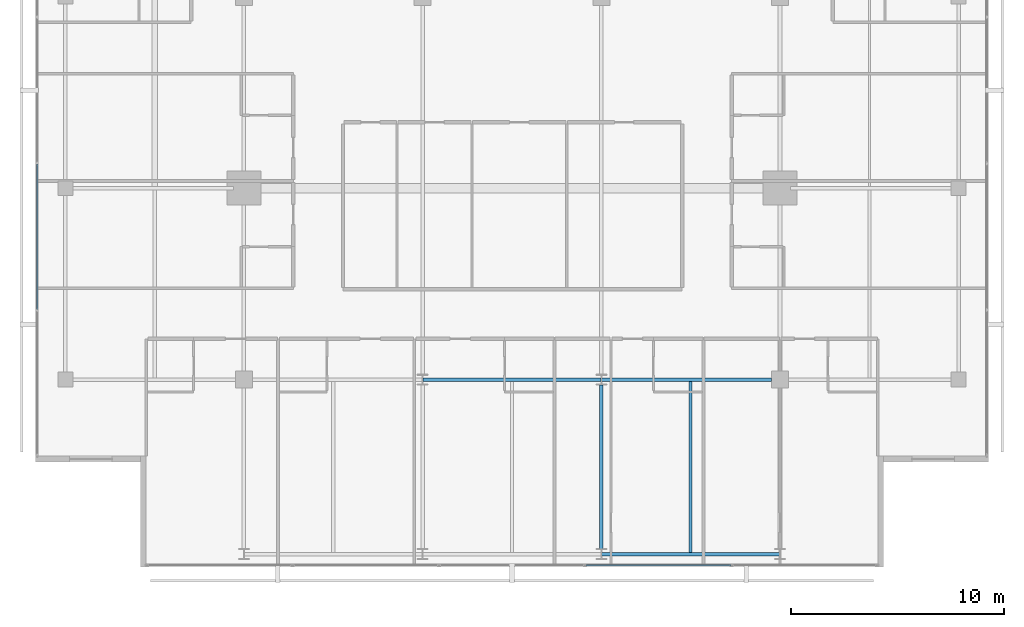
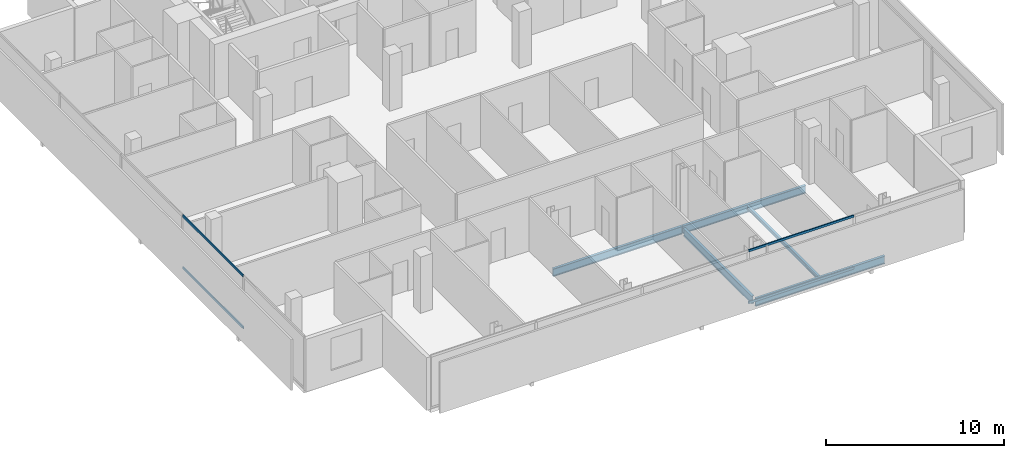
# One storey, part 7 of 26: 5 beams, 4 members, 2 elements without a shape of their own.
"""IFC4 building model written with IfcOpenShell, lengths in metres."""

from ifc_helpers import new_model, si_unit, direction, frame, origin, origin_2d, place, context, subcontext, project, spatial, hollow_rectangle, i_section, extrude, material, layer, layer_set, material_profile, profile_set, type_object, element, aggregate, save


model = new_model("IFC4")

# Units and contexts
model_context = context("Model", 3, precision=1e-05, world=origin(), true_north=direction((0.0, 1.0)))
body_context = subcontext(model_context, "Body", "Model", "MODEL_VIEW")
ifc_project = project(units=[si_unit("LENGTHUNIT", "METRE"), si_unit("AREAUNIT", "SQUARE_METRE"), si_unit("VOLUMEUNIT", "CUBIC_METRE"), si_unit("PLANEANGLEUNIT", "RADIAN"), si_unit("MASSUNIT", "GRAM", prefix="KILO")], contexts=[model_context])

# Site, building, storey
site_placement = place(None, origin())
site = spatial("IfcSite", under=ifc_project, at=site_placement, CompositionType="ELEMENT")
building_placement = place(site_placement, origin())
building = spatial("IfcBuilding", under=site, at=building_placement, Name="Maruvema Waterfront Hotel and Observation Tower", CompositionType="ELEMENT")
storey_placement = place(building_placement, frame((0.0, 0.0, 289.449951171875)))
storey = spatial("IfcBuildingStorey", under=building, at=storey_placement, Name="L71", CompositionType="ELEMENT", Elevation=289.449951171875)

# Curtain wall, members
ifc_material_1 = material(Name="Anodised bronze aluminium and solar-control low-E IGU", Category="aluminium")
ifc_layer = layer(ifc_material_1, 0.159912109375, Name="Zone 3 Champagne Inner Thermal Curtain Wall System CW-04")
ifc_layer_set = layer_set([ifc_layer], Name="Anodised bronze aluminium and solar-control low-E IGU")
curtain_wall_type = type_object("IfcCurtainWallType", Name="Zone 3 Champagne Inner Thermal Curtain Wall System CW-04", PredefinedType="USERDEFINED", material=ifc_layer_set)
curtain_wall_1_placement = place(storey_placement, origin())
curtain_wall_1 = element("IfcCurtainWall", 1, at=curtain_wall_1_placement, inside=storey, type_object=curtain_wall_type, Name="L71 Curtain Wall CW-L71-S", ObjectType="UNITISED CURTAIN WALL", PredefinedType="USERDEFINED")
ifc_material_2 = material(Name="Anodised architectural bronze aluminium", Category="aluminium")
ifc_material_profile_1 = material_profile(ifc_material_2, hollow_rectangle(XDim=0.070068359375, YDim=0.14990234375, WallThickness=0.00390625, at=origin_2d()), Name="ALU-T70x150")
ifc_profile_set_1 = profile_set([ifc_material_profile_1], Name="Anodised architectural bronze aluminium")
member_type = type_object("IfcMemberType", Name="Curtain Wall Horizontal Transom ALU-T70x150", PredefinedType="USERDEFINED", material=ifc_profile_set_1)
member_1_placement = place(storey_placement, frame((41.27001953125, 9.280029296875, 0.030029296875), z_axis=(1.0, 0.0, 0.0), x_axis=(0.0, 1.0, 0.0)))
member_1 = element("IfcMember", 2, at=member_1_placement, type_object=member_type, Name="CW-04 transom 4.1", ObjectType="TRANSOM", PredefinedType="USERDEFINED", context=body_context, shape_type="SweptSolid", body=[
    extrude(hollow_rectangle(XDim=0.070068359375, YDim=0.14990234375, WallThickness=0.00390625, at=origin_2d()), origin(), (0.0, 0.0, 1.0), 6.820068359375),
])
member_2_placement = place(storey_placement, frame((41.27001953125, 9.280029296875, 3.580078125), z_axis=(1.0, 0.0, 0.0), x_axis=(0.0, 1.0, 0.0)))
member_2 = element("IfcMember", 3, at=member_2_placement, type_object=member_type, Name="CW-04 transom 4.2", ObjectType="TRANSOM", PredefinedType="USERDEFINED", context=body_context, shape_type="SweptSolid", body=[
    extrude(hollow_rectangle(XDim=0.070068359375, YDim=0.14990234375, WallThickness=0.00390625, at=origin_2d()), origin(), (0.0, 0.0, 1.0), 6.820068359375),
])
aggregate(curtain_wall_1, [member_1, member_2])

curtain_wall_2_placement = place(storey_placement, origin())
curtain_wall_2 = element("IfcCurtainWall", 4, at=curtain_wall_2_placement, inside=storey, type_object=curtain_wall_type, Name="L71 Curtain Wall CW-L71-W", ObjectType="UNITISED CURTAIN WALL", PredefinedType="USERDEFINED")
member_3_placement = place(storey_placement, frame((15.47998046875, 28.1298828125, 0.030029296875), z_axis=(0.0, -1.0, 0.0), x_axis=(1.0, 0.0, 0.0)))
member_3 = element("IfcMember", 5, at=member_3_placement, type_object=member_type, Name="CW-04 transom 4.1", ObjectType="TRANSOM", PredefinedType="USERDEFINED", context=body_context, shape_type="SweptSolid", body=[
    extrude(hollow_rectangle(XDim=0.070068359375, YDim=0.14990234375, WallThickness=0.00390625, at=origin_2d()), origin(), (0.0, 0.0, 1.0), 6.81982421875),
])
member_4_placement = place(storey_placement, frame((15.47998046875, 28.1298828125, 3.580078125), z_axis=(0.0, -1.0, 0.0), x_axis=(1.0, 0.0, 0.0)))
member_4 = element("IfcMember", 6, at=member_4_placement, type_object=member_type, Name="CW-04 transom 4.2", ObjectType="TRANSOM", PredefinedType="USERDEFINED", context=body_context, shape_type="SweptSolid", body=[
    extrude(hollow_rectangle(XDim=0.070068359375, YDim=0.14990234375, WallThickness=0.00390625, at=origin_2d()), origin(), (0.0, 0.0, 1.0), 6.81982421875),
])
aggregate(curtain_wall_2, [member_3, member_4])

# Beams
ifc_material_3 = material(Name="Steel ASTM A572 Grade 50", Category="steel")
ifc_material_profile_2 = material_profile(ifc_material_3, i_section(OverallWidth=0.166015625, OverallDepth=0.529052734375, WebThickness=0.009765625, FlangeThickness=0.013671875, FilletRadius=0.014892578125, at=origin_2d()), Name="W530x74.0")
ifc_profile_set_2 = profile_set([ifc_material_profile_2], Name="Steel ASTM A572 Grade 50")
beam_type_1 = type_object("IfcBeamType", Name="Primary Floor Girder W530x74.0", PredefinedType="BEAM", material=ifc_profile_set_2)
for number, where, z_axis, x_axis, name in (
    (7, (42.010986328125, 9.800048828125, -0.50439453125), (1.0, 0.0, 0.0), (0.0, 1.0, 0.0), "L71 Floor Girder EW-03"),
    (8, (33.611083984375, 18.0, -0.50439453125), (1.0, 0.0, 0.0), (0.0, 1.0, 0.0), "L71 Floor Girder EW-06"),
):
    element("IfcBeam", number, at=place(storey_placement, frame(where, z_axis=z_axis, x_axis=x_axis)), inside=storey, type_object=beam_type_1, Name=name, PredefinedType="BEAM", context=body_context, shape_type="SweptSolid", body=[
        extrude(i_section(OverallWidth=0.166015625, OverallDepth=0.529052734375, WebThickness=0.009765625, FlangeThickness=0.013671875, FilletRadius=0.014892578125, at=origin_2d()), origin(), (0.0, 0.0, 1.0), 8.3779296875),
    ])
beam_1_placement = place(storey_placement, frame((42.010986328125, 18.0, -0.50439453125), z_axis=(1.0, 0.0, 0.0), x_axis=(0.0, 1.0, 0.0)))
element("IfcBeam", 9, at=beam_1_placement, inside=storey, type_object=beam_type_1, Name="L71 Floor Girder EW-07", PredefinedType="BEAM", context=body_context, shape_type="SweptSolid", body=[
    extrude(i_section(OverallWidth=0.166015625, OverallDepth=0.529052734375, WebThickness=0.009765625, FlangeThickness=0.013671875, FilletRadius=0.014892578125, at=origin_2d()), origin(), (0.0, 0.0, 1.0), 7.989013671875),
])
beam_2_placement = place(storey_placement, frame((42.0, 10.050048828125, -0.50439453125), z_axis=(0.0, 1.0, 0.0), x_axis=(-1.0, 0.0, 0.0)))
element("IfcBeam", 10, at=beam_2_placement, inside=storey, type_object=beam_type_1, Name="L71 Floor Girder NS-10", PredefinedType="BEAM", context=body_context, shape_type="SweptSolid", body=[
    extrude(i_section(OverallWidth=0.166015625, OverallDepth=0.529052734375, WebThickness=0.009765625, FlangeThickness=0.013671875, FilletRadius=0.014892578125, at=origin_2d()), origin(), (0.0, 0.0, 1.0), 7.699951171875),
])
ifc_material_4 = material(Name="Steel ASTM A572 Grade 50", Category="steel")
ifc_material_profile_3 = material_profile(ifc_material_4, i_section(OverallWidth=0.14599609375, OverallDepth=0.258056640625, WebThickness=0.006103515625, FlangeThickness=0.009033203125, FilletRadius=0.012939453125, at=origin_2d()), Name="W250x32.7")
ifc_profile_set_3 = profile_set([ifc_material_profile_3], Name="Steel ASTM A572 Grade 50")
beam_type_2 = type_object("IfcBeamType", Name="Secondary Floor Joist W250x32.7", PredefinedType="JOIST", material=ifc_profile_set_3)
beam_3_placement = place(storey_placement, frame((46.199951171875, 9.883056640625, -0.368896484375), z_axis=(0.0, 1.0, 0.0), x_axis=(-1.0, 0.0, 0.0)))
element("IfcBeam", 11, at=beam_3_placement, inside=storey, type_object=beam_type_2, Name="L71 Secondary Floor Joist JS-06", PredefinedType="JOIST", context=body_context, shape_type="SweptSolid", body=[
    extrude(i_section(OverallWidth=0.14599609375, OverallDepth=0.258056640625, WebThickness=0.006103515625, FlangeThickness=0.009033203125, FilletRadius=0.012939453125, at=origin_2d()), origin(), (0.0, 0.0, 1.0), 8.033935546875),
])

save(model, "model.ifc")
